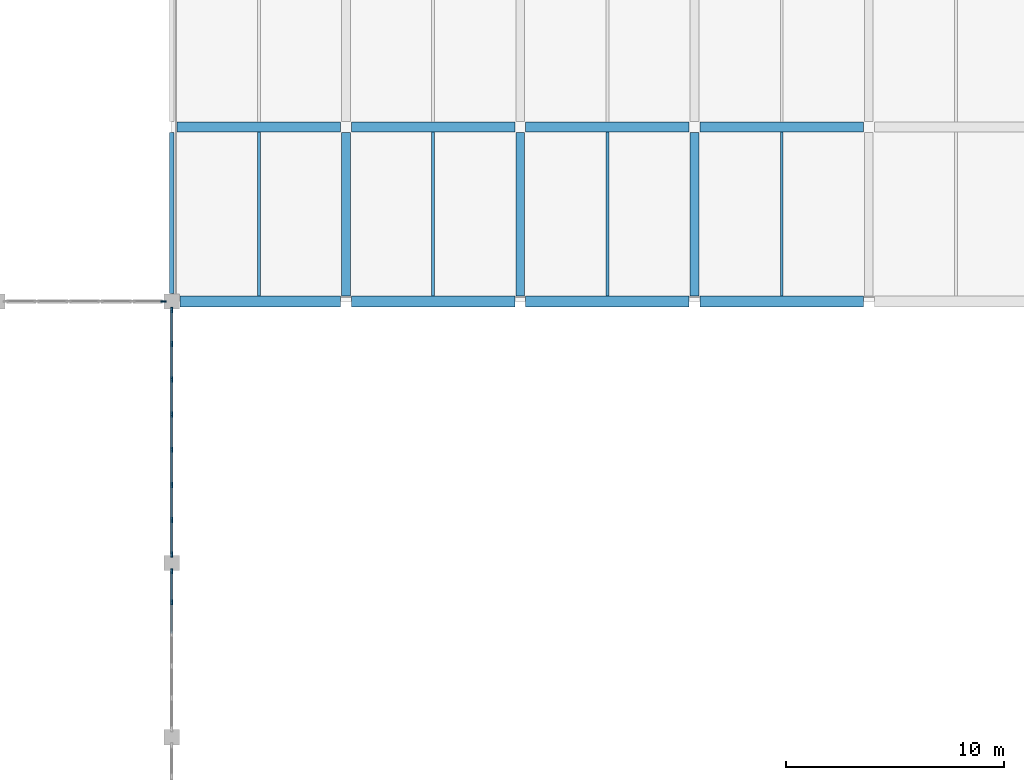
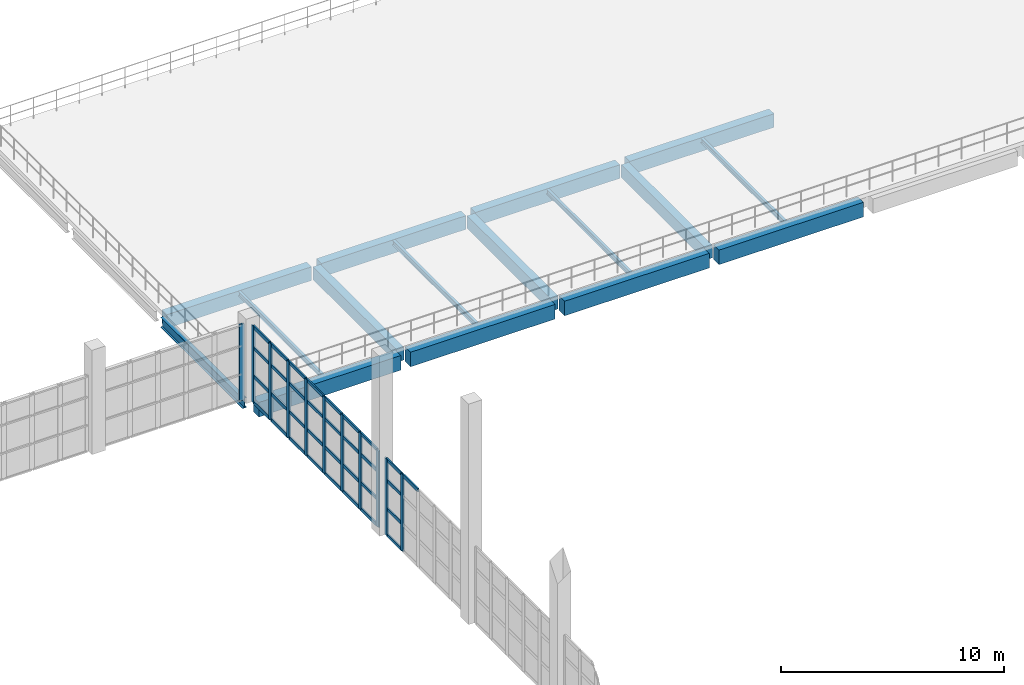
# One storey, part 21 of 66: 44 members, 16 beams, 3 elements without a shape of their own.
"""IFC4 building model written with IfcOpenShell, lengths in metres."""

from ifc_helpers import new_model, si_unit, direction, frame, origin, origin_2d, place, context, subcontext, project, spatial, rectangle, i_section, extrude, material, layer, layer_set, material_profile, profile_set, type_object, element, aggregate, save


model = new_model("IFC4")

# Units and contexts
model_context = context("Model", 3, precision=1e-05, world=origin(), true_north=direction((0.0, 1.0)))
body_context = subcontext(model_context, "Body", "Model", "MODEL_VIEW")
ifc_project = project(units=[si_unit("LENGTHUNIT", "METRE"), si_unit("AREAUNIT", "SQUARE_METRE"), si_unit("VOLUMEUNIT", "CUBIC_METRE"), si_unit("PLANEANGLEUNIT", "RADIAN"), si_unit("MASSUNIT", "GRAM", prefix="KILO")], contexts=[model_context])

# Site, building, storey
site_placement = place(None, origin())
site = spatial("IfcSite", under=ifc_project, at=site_placement, CompositionType="ELEMENT")
building_placement = place(site_placement, origin())
building = spatial("IfcBuilding", under=site, at=building_placement, Name="Drelvana Railside Aquatics Centre", CompositionType="ELEMENT")
storey_placement = place(building_placement, frame((0.0, 0.0, 10.199951171875)))
storey = spatial("IfcBuildingStorey", under=building, at=storey_placement, Name="L02", CompositionType="ELEMENT", Elevation=10.199951171875)

# Curtain wall, member
ifc_material_1 = material(Name="Bronze-anodised aluminium curtain wall", Category="aluminium")
ifc_layer = layer(ifc_material_1, 0.219970703125, Name="Bronze-anodised aluminium curtain wall")
ifc_layer_set = layer_set([ifc_layer], Name="Bronze-anodised aluminium curtain wall")
curtain_wall_type = type_object("IfcCurtainWallType", Name="CW-Z3-HIGH", PredefinedType="NOTDEFINED", material=ifc_layer_set)
curtain_wall_1_placement = place(storey_placement, origin())
curtain_wall_1 = element("IfcCurtainWall", 1, at=curtain_wall_1_placement, inside=storey, type_object=curtain_wall_type, Name="Curtain wall CW-03-027", PredefinedType="NOTDEFINED")
ifc_material_2 = material(Name="Bronze-anodised aluminium 6063-T6", Category="aluminium")
ifc_material_profile_1 = material_profile(ifc_material_2, rectangle(XDim=0.080078125, YDim=0.25, at=origin_2d()), Name="ALU-M 80x250")
ifc_profile_set_1 = profile_set([ifc_material_profile_1], Name="Bronze-anodised aluminium 6063-T6")
member_type_1 = type_object("IfcMemberType", Name="CW-Z3-HIGH-MUL", PredefinedType="MULLION", material=ifc_profile_set_1)
member_1_placement = place(storey_placement, frame((95.615966796875, 84.0, -0.005859375), z_axis=(0.0, 0.0, 1.0), x_axis=(0.0, 1.0, 0.0)))
member_1 = element("IfcMember", 2, at=member_1_placement, type_object=member_type_1, Name="CW-03 mullion 6", PredefinedType="MULLION", context=body_context, shape_type="SweptSolid", body=[
    extrude(rectangle(XDim=0.080078125, YDim=0.25, at=origin_2d()), origin(), (0.0, 0.0, 1.0), 4.19580078125),
])
aggregate(curtain_wall_1, [member_1])

# Curtain wall, members
curtain_wall_2_placement = place(storey_placement, origin())
curtain_wall_2 = element("IfcCurtainWall", 3, at=curtain_wall_2_placement, inside=storey, type_object=curtain_wall_type, Name="Curtain wall CW-03-076", PredefinedType="NOTDEFINED")
member_2_placement = place(storey_placement, frame((96.0, 70.193603515625, -0.005859375), z_axis=(0.0, 0.0, 1.0), x_axis=(-1.0, 0.0, 0.0)))
member_2 = element("IfcMember", 4, at=member_2_placement, type_object=member_type_1, Name="CW-03 mullion 5", PredefinedType="MULLION", context=body_context, shape_type="SweptSolid", body=[
    extrude(rectangle(XDim=0.080078125, YDim=0.25, at=origin_2d()), origin(), (0.0, 0.0, 1.0), 4.19580078125),
])
member_3_placement = place(storey_placement, frame((96.0, 71.615966796875, -0.005859375), z_axis=(0.0, 0.0, 1.0), x_axis=(-1.0, 0.0, 0.0)))
member_3 = element("IfcMember", 5, at=member_3_placement, type_object=member_type_1, Name="CW-03 mullion 6", PredefinedType="MULLION", context=body_context, shape_type="SweptSolid", body=[
    extrude(rectangle(XDim=0.080078125, YDim=0.25, at=origin_2d()), origin(), (0.0, 0.0, 1.0), 4.19580078125),
])

curtain_wall_3_placement = place(storey_placement, origin())
curtain_wall_3 = element("IfcCurtainWall", 6, at=curtain_wall_3_placement, inside=storey, type_object=curtain_wall_type, Name="Curtain wall CW-03-080", PredefinedType="NOTDEFINED")
member_4_placement = place(storey_placement, frame((96.0, 72.384033203125, -0.005859375), z_axis=(0.0, 0.0, 1.0), x_axis=(-1.0, 0.0, 0.0)))
member_4 = element("IfcMember", 7, at=member_4_placement, type_object=member_type_1, Name="CW-03 mullion 1", PredefinedType="MULLION", context=body_context, shape_type="SweptSolid", body=[
    extrude(rectangle(XDim=0.080078125, YDim=0.25, at=origin_2d()), origin(), (0.0, 0.0, 1.0), 4.19580078125),
])
member_5_placement = place(storey_placement, frame((96.0, 73.9599609375, -0.005859375), z_axis=(0.0, 0.0, 1.0), x_axis=(-1.0, 0.0, 0.0)))
member_5 = element("IfcMember", 8, at=member_5_placement, type_object=member_type_1, Name="CW-03 mullion 2", PredefinedType="MULLION", context=body_context, shape_type="SweptSolid", body=[
    extrude(rectangle(XDim=0.080078125, YDim=0.25, at=origin_2d()), origin(), (0.0, 0.0, 1.0), 4.19580078125),
])
member_6_placement = place(storey_placement, frame((96.0, 75.575927734375, -0.005859375), z_axis=(0.0, 0.0, 1.0), x_axis=(-1.0, 0.0, 0.0)))
member_6 = element("IfcMember", 9, at=member_6_placement, type_object=member_type_1, Name="CW-03 mullion 3", PredefinedType="MULLION", context=body_context, shape_type="SweptSolid", body=[
    extrude(rectangle(XDim=0.080078125, YDim=0.25, at=origin_2d()), origin(), (0.0, 0.0, 1.0), 4.19580078125),
])
member_7_placement = place(storey_placement, frame((96.0, 77.19189453125, -0.005859375), z_axis=(0.0, 0.0, 1.0), x_axis=(-1.0, 0.0, 0.0)))
member_7 = element("IfcMember", 10, at=member_7_placement, type_object=member_type_1, Name="CW-03 mullion 4", PredefinedType="MULLION", context=body_context, shape_type="SweptSolid", body=[
    extrude(rectangle(XDim=0.080078125, YDim=0.25, at=origin_2d()), origin(), (0.0, 0.0, 1.0), 4.19580078125),
])
member_8_placement = place(storey_placement, frame((96.0, 78.80810546875, -0.005859375), z_axis=(0.0, 0.0, 1.0), x_axis=(-1.0, 0.0, 0.0)))
member_8 = element("IfcMember", 11, at=member_8_placement, type_object=member_type_1, Name="CW-03 mullion 5", PredefinedType="MULLION", context=body_context, shape_type="SweptSolid", body=[
    extrude(rectangle(XDim=0.080078125, YDim=0.25, at=origin_2d()), origin(), (0.0, 0.0, 1.0), 4.19580078125),
])
member_9_placement = place(storey_placement, frame((96.0, 80.424072265625, -0.005859375), z_axis=(0.0, 0.0, 1.0), x_axis=(-1.0, 0.0, 0.0)))
member_9 = element("IfcMember", 12, at=member_9_placement, type_object=member_type_1, Name="CW-03 mullion 6", PredefinedType="MULLION", context=body_context, shape_type="SweptSolid", body=[
    extrude(rectangle(XDim=0.080078125, YDim=0.25, at=origin_2d()), origin(), (0.0, 0.0, 1.0), 4.19580078125),
])
member_10_placement = place(storey_placement, frame((96.0, 82.0400390625, -0.005859375), z_axis=(0.0, 0.0, 1.0), x_axis=(-1.0, 0.0, 0.0)))
member_10 = element("IfcMember", 13, at=member_10_placement, type_object=member_type_1, Name="CW-03 mullion 7", PredefinedType="MULLION", context=body_context, shape_type="SweptSolid", body=[
    extrude(rectangle(XDim=0.080078125, YDim=0.25, at=origin_2d()), origin(), (0.0, 0.0, 1.0), 4.19580078125),
])
member_11_placement = place(storey_placement, frame((96.0, 83.615966796875, -0.005859375), z_axis=(0.0, 0.0, 1.0), x_axis=(-1.0, 0.0, 0.0)))
member_11 = element("IfcMember", 14, at=member_11_placement, type_object=member_type_1, Name="CW-03 mullion 8", PredefinedType="MULLION", context=body_context, shape_type="SweptSolid", body=[
    extrude(rectangle(XDim=0.080078125, YDim=0.25, at=origin_2d()), origin(), (0.0, 0.0, 1.0), 4.19580078125),
])

# Member
ifc_material_profile_2 = material_profile(ifc_material_2, rectangle(XDim=0.179931640625, YDim=0.074951171875, at=origin_2d()), Name="ALU-T 75x180")
ifc_profile_set_2 = profile_set([ifc_material_profile_2], Name="Bronze-anodised aluminium 6063-T6")
member_type_2 = type_object("IfcMemberType", Name="CW-Z3-HIGH-TRN", PredefinedType="USERDEFINED", material=ifc_profile_set_2)
member_12_placement = place(storey_placement, frame((96.0, 68.76611328125, 4.152587890625), z_axis=(0.0, 1.0, 0.0), x_axis=(0.0, 0.0, 1.0)))
member_12 = element("IfcMember", 15, at=member_12_placement, type_object=member_type_2, Name="CW-03 transom 4.4", ObjectType="TRANSOM", PredefinedType="USERDEFINED", context=body_context, shape_type="SweptSolid", body=[
    extrude(rectangle(XDim=0.179931640625, YDim=0.074951171875, at=origin_2d()), origin(), (0.0, 0.0, 1.0), 1.392578125),
])

member_13_placement = place(storey_placement, frame((96.0, 70.228515625, 0.031494140625), z_axis=(0.0, 1.0, 0.0), x_axis=(0.0, 0.0, 1.0)))
member_13 = element("IfcMember", 16, at=member_13_placement, type_object=member_type_2, Name="CW-03 transom 5.1", ObjectType="TRANSOM", PredefinedType="USERDEFINED", context=body_context, shape_type="SweptSolid", body=[
    extrude(rectangle(XDim=0.179931640625, YDim=0.074951171875, at=origin_2d()), origin(), (0.0, 0.0, 1.0), 1.3525390625),
])

member_14_placement = place(storey_placement, frame((96.0, 70.228515625, 1.463134765625), z_axis=(0.0, 1.0, 0.0), x_axis=(0.0, 0.0, 1.0)))
member_14 = element("IfcMember", 17, at=member_14_placement, type_object=member_type_2, Name="CW-03 transom 5.2", ObjectType="TRANSOM", PredefinedType="USERDEFINED", context=body_context, shape_type="SweptSolid", body=[
    extrude(rectangle(XDim=0.179931640625, YDim=0.074951171875, at=origin_2d()), origin(), (0.0, 0.0, 1.0), 1.3525390625),
])

member_15_placement = place(storey_placement, frame((96.0, 70.228515625, 3.01513671875), z_axis=(0.0, 1.0, 0.0), x_axis=(0.0, 0.0, 1.0)))
member_15 = element("IfcMember", 18, at=member_15_placement, type_object=member_type_2, Name="CW-03 transom 5.3", ObjectType="TRANSOM", PredefinedType="USERDEFINED", context=body_context, shape_type="SweptSolid", body=[
    extrude(rectangle(XDim=0.179931640625, YDim=0.074951171875, at=origin_2d()), origin(), (0.0, 0.0, 1.0), 1.3525390625),
])

member_16_placement = place(storey_placement, frame((96.0, 70.228515625, 4.152587890625), z_axis=(0.0, 1.0, 0.0), x_axis=(0.0, 0.0, 1.0)))
member_16 = element("IfcMember", 19, at=member_16_placement, type_object=member_type_2, Name="CW-03 transom 5.4", ObjectType="TRANSOM", PredefinedType="USERDEFINED", context=body_context, shape_type="SweptSolid", body=[
    extrude(rectangle(XDim=0.179931640625, YDim=0.074951171875, at=origin_2d()), origin(), (0.0, 0.0, 1.0), 1.3525390625),
])

aggregate(curtain_wall_2, [member_2, member_3, member_12, member_13, member_14, member_15, member_16])

member_17_placement = place(storey_placement, frame((96.0, 72.4189453125, 0.031494140625), z_axis=(0.0, 1.0, 0.0), x_axis=(0.0, 0.0, 1.0)))
member_17 = element("IfcMember", 20, at=member_17_placement, type_object=member_type_2, Name="CW-03 transom 1.1", ObjectType="TRANSOM", PredefinedType="USERDEFINED", context=body_context, shape_type="SweptSolid", body=[
    extrude(rectangle(XDim=0.179931640625, YDim=0.074951171875, at=origin_2d()), origin(), (0.0, 0.0, 1.0), 1.506103515625),
])

member_18_placement = place(storey_placement, frame((96.0, 72.4189453125, 1.463134765625), z_axis=(0.0, 1.0, 0.0), x_axis=(0.0, 0.0, 1.0)))
member_18 = element("IfcMember", 21, at=member_18_placement, type_object=member_type_2, Name="CW-03 transom 1.2", ObjectType="TRANSOM", PredefinedType="USERDEFINED", context=body_context, shape_type="SweptSolid", body=[
    extrude(rectangle(XDim=0.179931640625, YDim=0.074951171875, at=origin_2d()), origin(), (0.0, 0.0, 1.0), 1.506103515625),
])

member_19_placement = place(storey_placement, frame((96.0, 72.4189453125, 3.01513671875), z_axis=(0.0, 1.0, 0.0), x_axis=(0.0, 0.0, 1.0)))
member_19 = element("IfcMember", 22, at=member_19_placement, type_object=member_type_2, Name="CW-03 transom 1.3", ObjectType="TRANSOM", PredefinedType="USERDEFINED", context=body_context, shape_type="SweptSolid", body=[
    extrude(rectangle(XDim=0.179931640625, YDim=0.074951171875, at=origin_2d()), origin(), (0.0, 0.0, 1.0), 1.506103515625),
])

member_20_placement = place(storey_placement, frame((96.0, 72.4189453125, 4.152587890625), z_axis=(0.0, 1.0, 0.0), x_axis=(0.0, 0.0, 1.0)))
member_20 = element("IfcMember", 23, at=member_20_placement, type_object=member_type_2, Name="CW-03 transom 1.4", ObjectType="TRANSOM", PredefinedType="USERDEFINED", context=body_context, shape_type="SweptSolid", body=[
    extrude(rectangle(XDim=0.179931640625, YDim=0.074951171875, at=origin_2d()), origin(), (0.0, 0.0, 1.0), 1.506103515625),
])

member_21_placement = place(storey_placement, frame((96.0, 73.9951171875, 0.031494140625), z_axis=(0.0, 1.0, 0.0), x_axis=(0.0, 0.0, 1.0)))
member_21 = element("IfcMember", 24, at=member_21_placement, type_object=member_type_2, Name="CW-03 transom 2.1", ObjectType="TRANSOM", PredefinedType="USERDEFINED", context=body_context, shape_type="SweptSolid", body=[
    extrude(rectangle(XDim=0.179931640625, YDim=0.074951171875, at=origin_2d()), origin(), (0.0, 0.0, 1.0), 1.5458984375),
])

member_22_placement = place(storey_placement, frame((96.0, 73.9951171875, 1.463134765625), z_axis=(0.0, 1.0, 0.0), x_axis=(0.0, 0.0, 1.0)))
member_22 = element("IfcMember", 25, at=member_22_placement, type_object=member_type_2, Name="CW-03 transom 2.2", ObjectType="TRANSOM", PredefinedType="USERDEFINED", context=body_context, shape_type="SweptSolid", body=[
    extrude(rectangle(XDim=0.179931640625, YDim=0.074951171875, at=origin_2d()), origin(), (0.0, 0.0, 1.0), 1.5458984375),
])

member_23_placement = place(storey_placement, frame((96.0, 73.9951171875, 3.01513671875), z_axis=(0.0, 1.0, 0.0), x_axis=(0.0, 0.0, 1.0)))
member_23 = element("IfcMember", 26, at=member_23_placement, type_object=member_type_2, Name="CW-03 transom 2.3", ObjectType="TRANSOM", PredefinedType="USERDEFINED", context=body_context, shape_type="SweptSolid", body=[
    extrude(rectangle(XDim=0.179931640625, YDim=0.074951171875, at=origin_2d()), origin(), (0.0, 0.0, 1.0), 1.5458984375),
])

member_24_placement = place(storey_placement, frame((96.0, 73.9951171875, 4.152587890625), z_axis=(0.0, 1.0, 0.0), x_axis=(0.0, 0.0, 1.0)))
member_24 = element("IfcMember", 27, at=member_24_placement, type_object=member_type_2, Name="CW-03 transom 2.4", ObjectType="TRANSOM", PredefinedType="USERDEFINED", context=body_context, shape_type="SweptSolid", body=[
    extrude(rectangle(XDim=0.179931640625, YDim=0.074951171875, at=origin_2d()), origin(), (0.0, 0.0, 1.0), 1.5458984375),
])

member_25_placement = place(storey_placement, frame((96.0, 75.611083984375, 0.031494140625), z_axis=(0.0, 1.0, 0.0), x_axis=(0.0, 0.0, 1.0)))
member_25 = element("IfcMember", 28, at=member_25_placement, type_object=member_type_2, Name="CW-03 transom 3.1", ObjectType="TRANSOM", PredefinedType="USERDEFINED", context=body_context, shape_type="SweptSolid", body=[
    extrude(rectangle(XDim=0.179931640625, YDim=0.074951171875, at=origin_2d()), origin(), (0.0, 0.0, 1.0), 1.5458984375),
])

member_26_placement = place(storey_placement, frame((96.0, 75.611083984375, 1.463134765625), z_axis=(0.0, 1.0, 0.0), x_axis=(0.0, 0.0, 1.0)))
member_26 = element("IfcMember", 29, at=member_26_placement, type_object=member_type_2, Name="CW-03 transom 3.2", ObjectType="TRANSOM", PredefinedType="USERDEFINED", context=body_context, shape_type="SweptSolid", body=[
    extrude(rectangle(XDim=0.179931640625, YDim=0.074951171875, at=origin_2d()), origin(), (0.0, 0.0, 1.0), 1.5458984375),
])

member_27_placement = place(storey_placement, frame((96.0, 75.611083984375, 3.01513671875), z_axis=(0.0, 1.0, 0.0), x_axis=(0.0, 0.0, 1.0)))
member_27 = element("IfcMember", 30, at=member_27_placement, type_object=member_type_2, Name="CW-03 transom 3.3", ObjectType="TRANSOM", PredefinedType="USERDEFINED", context=body_context, shape_type="SweptSolid", body=[
    extrude(rectangle(XDim=0.179931640625, YDim=0.074951171875, at=origin_2d()), origin(), (0.0, 0.0, 1.0), 1.5458984375),
])

member_28_placement = place(storey_placement, frame((96.0, 75.611083984375, 4.152587890625), z_axis=(0.0, 1.0, 0.0), x_axis=(0.0, 0.0, 1.0)))
member_28 = element("IfcMember", 31, at=member_28_placement, type_object=member_type_2, Name="CW-03 transom 3.4", ObjectType="TRANSOM", PredefinedType="USERDEFINED", context=body_context, shape_type="SweptSolid", body=[
    extrude(rectangle(XDim=0.179931640625, YDim=0.074951171875, at=origin_2d()), origin(), (0.0, 0.0, 1.0), 1.5458984375),
])

member_29_placement = place(storey_placement, frame((96.0, 77.22705078125, 0.031494140625), z_axis=(0.0, 1.0, 0.0), x_axis=(0.0, 0.0, 1.0)))
member_29 = element("IfcMember", 32, at=member_29_placement, type_object=member_type_2, Name="CW-03 transom 4.1", ObjectType="TRANSOM", PredefinedType="USERDEFINED", context=body_context, shape_type="SweptSolid", body=[
    extrude(rectangle(XDim=0.179931640625, YDim=0.074951171875, at=origin_2d()), origin(), (0.0, 0.0, 1.0), 1.5458984375),
])

member_30_placement = place(storey_placement, frame((96.0, 77.22705078125, 1.463134765625), z_axis=(0.0, 1.0, 0.0), x_axis=(0.0, 0.0, 1.0)))
member_30 = element("IfcMember", 33, at=member_30_placement, type_object=member_type_2, Name="CW-03 transom 4.2", ObjectType="TRANSOM", PredefinedType="USERDEFINED", context=body_context, shape_type="SweptSolid", body=[
    extrude(rectangle(XDim=0.179931640625, YDim=0.074951171875, at=origin_2d()), origin(), (0.0, 0.0, 1.0), 1.5458984375),
])

member_31_placement = place(storey_placement, frame((96.0, 77.22705078125, 3.01513671875), z_axis=(0.0, 1.0, 0.0), x_axis=(0.0, 0.0, 1.0)))
member_31 = element("IfcMember", 34, at=member_31_placement, type_object=member_type_2, Name="CW-03 transom 4.3", ObjectType="TRANSOM", PredefinedType="USERDEFINED", context=body_context, shape_type="SweptSolid", body=[
    extrude(rectangle(XDim=0.179931640625, YDim=0.074951171875, at=origin_2d()), origin(), (0.0, 0.0, 1.0), 1.5458984375),
])

member_32_placement = place(storey_placement, frame((96.0, 77.22705078125, 4.152587890625), z_axis=(0.0, 1.0, 0.0), x_axis=(0.0, 0.0, 1.0)))
member_32 = element("IfcMember", 35, at=member_32_placement, type_object=member_type_2, Name="CW-03 transom 4.4", ObjectType="TRANSOM", PredefinedType="USERDEFINED", context=body_context, shape_type="SweptSolid", body=[
    extrude(rectangle(XDim=0.179931640625, YDim=0.074951171875, at=origin_2d()), origin(), (0.0, 0.0, 1.0), 1.5458984375),
])

member_33_placement = place(storey_placement, frame((96.0, 78.843017578125, 0.031494140625), z_axis=(0.0, 1.0, 0.0), x_axis=(0.0, 0.0, 1.0)))
member_33 = element("IfcMember", 36, at=member_33_placement, type_object=member_type_2, Name="CW-03 transom 5.1", ObjectType="TRANSOM", PredefinedType="USERDEFINED", context=body_context, shape_type="SweptSolid", body=[
    extrude(rectangle(XDim=0.179931640625, YDim=0.074951171875, at=origin_2d()), origin(), (0.0, 0.0, 1.0), 1.5458984375),
])

member_34_placement = place(storey_placement, frame((96.0, 78.843017578125, 1.463134765625), z_axis=(0.0, 1.0, 0.0), x_axis=(0.0, 0.0, 1.0)))
member_34 = element("IfcMember", 37, at=member_34_placement, type_object=member_type_2, Name="CW-03 transom 5.2", ObjectType="TRANSOM", PredefinedType="USERDEFINED", context=body_context, shape_type="SweptSolid", body=[
    extrude(rectangle(XDim=0.179931640625, YDim=0.074951171875, at=origin_2d()), origin(), (0.0, 0.0, 1.0), 1.5458984375),
])

member_35_placement = place(storey_placement, frame((96.0, 78.843017578125, 3.01513671875), z_axis=(0.0, 1.0, 0.0), x_axis=(0.0, 0.0, 1.0)))
member_35 = element("IfcMember", 38, at=member_35_placement, type_object=member_type_2, Name="CW-03 transom 5.3", ObjectType="TRANSOM", PredefinedType="USERDEFINED", context=body_context, shape_type="SweptSolid", body=[
    extrude(rectangle(XDim=0.179931640625, YDim=0.074951171875, at=origin_2d()), origin(), (0.0, 0.0, 1.0), 1.5458984375),
])

member_36_placement = place(storey_placement, frame((96.0, 78.843017578125, 4.152587890625), z_axis=(0.0, 1.0, 0.0), x_axis=(0.0, 0.0, 1.0)))
member_36 = element("IfcMember", 39, at=member_36_placement, type_object=member_type_2, Name="CW-03 transom 5.4", ObjectType="TRANSOM", PredefinedType="USERDEFINED", context=body_context, shape_type="SweptSolid", body=[
    extrude(rectangle(XDim=0.179931640625, YDim=0.074951171875, at=origin_2d()), origin(), (0.0, 0.0, 1.0), 1.5458984375),
])

member_37_placement = place(storey_placement, frame((96.0, 80.458984375, 0.031494140625), z_axis=(0.0, 1.0, 0.0), x_axis=(0.0, 0.0, 1.0)))
member_37 = element("IfcMember", 40, at=member_37_placement, type_object=member_type_2, Name="CW-03 transom 6.1", ObjectType="TRANSOM", PredefinedType="USERDEFINED", context=body_context, shape_type="SweptSolid", body=[
    extrude(rectangle(XDim=0.179931640625, YDim=0.074951171875, at=origin_2d()), origin(), (0.0, 0.0, 1.0), 1.5458984375),
])

member_38_placement = place(storey_placement, frame((96.0, 80.458984375, 1.463134765625), z_axis=(0.0, 1.0, 0.0), x_axis=(0.0, 0.0, 1.0)))
member_38 = element("IfcMember", 41, at=member_38_placement, type_object=member_type_2, Name="CW-03 transom 6.2", ObjectType="TRANSOM", PredefinedType="USERDEFINED", context=body_context, shape_type="SweptSolid", body=[
    extrude(rectangle(XDim=0.179931640625, YDim=0.074951171875, at=origin_2d()), origin(), (0.0, 0.0, 1.0), 1.5458984375),
])

member_39_placement = place(storey_placement, frame((96.0, 80.458984375, 3.01513671875), z_axis=(0.0, 1.0, 0.0), x_axis=(0.0, 0.0, 1.0)))
member_39 = element("IfcMember", 42, at=member_39_placement, type_object=member_type_2, Name="CW-03 transom 6.3", ObjectType="TRANSOM", PredefinedType="USERDEFINED", context=body_context, shape_type="SweptSolid", body=[
    extrude(rectangle(XDim=0.179931640625, YDim=0.074951171875, at=origin_2d()), origin(), (0.0, 0.0, 1.0), 1.5458984375),
])

member_40_placement = place(storey_placement, frame((96.0, 80.458984375, 4.152587890625), z_axis=(0.0, 1.0, 0.0), x_axis=(0.0, 0.0, 1.0)))
member_40 = element("IfcMember", 43, at=member_40_placement, type_object=member_type_2, Name="CW-03 transom 6.4", ObjectType="TRANSOM", PredefinedType="USERDEFINED", context=body_context, shape_type="SweptSolid", body=[
    extrude(rectangle(XDim=0.179931640625, YDim=0.074951171875, at=origin_2d()), origin(), (0.0, 0.0, 1.0), 1.5458984375),
])

member_41_placement = place(storey_placement, frame((96.0, 82.074951171875, 0.031494140625), z_axis=(0.0, 1.0, 0.0), x_axis=(0.0, 0.0, 1.0)))
member_41 = element("IfcMember", 44, at=member_41_placement, type_object=member_type_2, Name="CW-03 transom 7.1", ObjectType="TRANSOM", PredefinedType="USERDEFINED", context=body_context, shape_type="SweptSolid", body=[
    extrude(rectangle(XDim=0.179931640625, YDim=0.074951171875, at=origin_2d()), origin(), (0.0, 0.0, 1.0), 1.506103515625),
])

member_42_placement = place(storey_placement, frame((96.0, 82.074951171875, 1.463134765625), z_axis=(0.0, 1.0, 0.0), x_axis=(0.0, 0.0, 1.0)))
member_42 = element("IfcMember", 45, at=member_42_placement, type_object=member_type_2, Name="CW-03 transom 7.2", ObjectType="TRANSOM", PredefinedType="USERDEFINED", context=body_context, shape_type="SweptSolid", body=[
    extrude(rectangle(XDim=0.179931640625, YDim=0.074951171875, at=origin_2d()), origin(), (0.0, 0.0, 1.0), 1.506103515625),
])

member_43_placement = place(storey_placement, frame((96.0, 82.074951171875, 3.01513671875), z_axis=(0.0, 1.0, 0.0), x_axis=(0.0, 0.0, 1.0)))
member_43 = element("IfcMember", 46, at=member_43_placement, type_object=member_type_2, Name="CW-03 transom 7.3", ObjectType="TRANSOM", PredefinedType="USERDEFINED", context=body_context, shape_type="SweptSolid", body=[
    extrude(rectangle(XDim=0.179931640625, YDim=0.074951171875, at=origin_2d()), origin(), (0.0, 0.0, 1.0), 1.506103515625),
])

member_44_placement = place(storey_placement, frame((96.0, 82.074951171875, 4.152587890625), z_axis=(0.0, 1.0, 0.0), x_axis=(0.0, 0.0, 1.0)))
member_44 = element("IfcMember", 47, at=member_44_placement, type_object=member_type_2, Name="CW-03 transom 7.4", ObjectType="TRANSOM", PredefinedType="USERDEFINED", context=body_context, shape_type="SweptSolid", body=[
    extrude(rectangle(XDim=0.179931640625, YDim=0.074951171875, at=origin_2d()), origin(), (0.0, 0.0, 1.0), 1.506103515625),
])

aggregate(curtain_wall_3, [member_4, member_5, member_6, member_7, member_8, member_9, member_10, member_11, member_17, member_18, member_19, member_20, member_21, member_22, member_23, member_24, member_25, member_26, member_27, member_28, member_29, member_30, member_31, member_32, member_33, member_34, member_35, member_36, member_37, member_38, member_39, member_40, member_41, member_42, member_43, member_44])

# Beams
ifc_material_3 = material(Name="Concrete C40/50", Category="concrete")
ifc_material_profile_3 = material_profile(ifc_material_3, rectangle(XDim=0.39990234375, YDim=0.699951171875, at=origin_2d()), Name="RC 400x700")
ifc_profile_set_3 = profile_set([ifc_material_profile_3], Name="Concrete C40/50")
beam_type_1 = type_object("IfcBeamType", Name="STR-BM-BM-03-RC-400x700", PredefinedType="BEAM", material=ifc_profile_set_3)
for number, where, z_axis, x_axis, name in (
    (48, (104.0, 84.25, -0.599853515625), (0.0, 1.0, 0.0), (-1.0, 0.0, 0.0), "Girder BM-03 (L02)"),
    (49, (112.0, 84.25, -0.599853515625), (0.0, 1.0, 0.0), (-1.0, 0.0, 0.0), "Girder BM-03 (L02)"),
    (50, (120.0, 84.25, -0.599853515625), (0.0, 1.0, 0.0), (-1.0, 0.0, 0.0), "Girder BM-03 (L02)"),
):
    element("IfcBeam", number, at=place(storey_placement, frame(where, z_axis=z_axis, x_axis=x_axis)), inside=storey, type_object=beam_type_1, Name=name, PredefinedType="BEAM", context=body_context, shape_type="SweptSolid", body=[
        extrude(rectangle(XDim=0.39990234375, YDim=0.699951171875, at=origin_2d()), origin(), (0.0, 0.0, 1.0), 7.5),
    ])
ifc_material_profile_4 = material_profile(ifc_material_3, rectangle(XDim=0.449951171875, YDim=0.75, at=origin_2d()), Name="RC 450x750")
ifc_profile_set_4 = profile_set([ifc_material_profile_4], Name="Concrete C40/50")
beam_type_2 = type_object("IfcBeamType", Name="STR-BM-BM-04-RC-450x750", PredefinedType="BEAM", material=ifc_profile_set_4)
for number, where, z_axis, x_axis, name in (
    (51, (96.25, 92.0, -0.625), (1.0, 0.0, 0.0), (0.0, 1.0, 0.0), "Girder BM-04 (L02)"),
    (52, (104.25, 92.0, -0.625), (1.0, 0.0, 0.0), (0.0, 1.0, 0.0), "Girder BM-04 (L02)"),
    (53, (112.25, 92.0, -0.625), (1.0, 0.0, 0.0), (0.0, 1.0, 0.0), "Girder BM-04 (L02)"),
    (54, (120.25, 92.0, -0.625), (1.0, 0.0, 0.0), (0.0, 1.0, 0.0), "Girder BM-04 (L02)"),
):
    element("IfcBeam", number, at=place(storey_placement, frame(where, z_axis=z_axis, x_axis=x_axis)), inside=storey, type_object=beam_type_2, Name=name, PredefinedType="BEAM", context=body_context, shape_type="SweptSolid", body=[
        extrude(rectangle(XDim=0.449951171875, YDim=0.75, at=origin_2d()), origin(), (0.0, 0.0, 1.0), 7.5),
    ])
ifc_material_profile_5 = material_profile(ifc_material_3, rectangle(XDim=0.5, YDim=0.800048828125, at=origin_2d()), Name="RC 500x800")
ifc_profile_set_5 = profile_set([ifc_material_profile_5], Name="Concrete C40/50")
beam_type_3 = type_object("IfcBeamType", Name="STR-BM-BM-06-RC-500x800", PredefinedType="SPANDREL", material=ifc_profile_set_5)
beam_1_placement = place(storey_placement, frame((96.375, 84.0, -0.64990234375), z_axis=(1.0, 0.0, 0.0), x_axis=(0.0, 1.0, 0.0)))
element("IfcBeam", 55, at=beam_1_placement, inside=storey, type_object=beam_type_3, Name="Girder BM-06 (L02)", PredefinedType="SPANDREL", context=body_context, shape_type="SweptSolid", body=[
    extrude(rectangle(XDim=0.5, YDim=0.800048828125, at=origin_2d()), origin(), (0.0, 0.0, 1.0), 7.375),
])
for number, where, z_axis, x_axis, name in (
    (56, (104.25, 84.0, -0.64990234375), (1.0, 0.0, 0.0), (0.0, 1.0, 0.0), "Girder BM-06 (L02)"),
    (57, (112.25, 84.0, -0.64990234375), (1.0, 0.0, 0.0), (0.0, 1.0, 0.0), "Girder BM-06 (L02)"),
    (58, (120.25, 84.0, -0.64990234375), (1.0, 0.0, 0.0), (0.0, 1.0, 0.0), "Girder BM-06 (L02)"),
):
    element("IfcBeam", number, at=place(storey_placement, frame(where, z_axis=z_axis, x_axis=x_axis)), inside=storey, type_object=beam_type_3, Name=name, PredefinedType="SPANDREL", context=body_context, shape_type="SweptSolid", body=[
        extrude(rectangle(XDim=0.5, YDim=0.800048828125, at=origin_2d()), origin(), (0.0, 0.0, 1.0), 7.5),
    ])
ifc_material_4 = material(Name="Structural steel S355", Category="steel")
ifc_material_profile_6 = material_profile(ifc_material_4, i_section(OverallWidth=0.2099609375, OverallDepth=0.550048828125, WebThickness=0.010986328125, FlangeThickness=0.01708984375, at=origin_2d()), Name="IPE 550")
ifc_profile_set_6 = profile_set([ifc_material_profile_6], Name="Structural steel S355")
beam_type_4 = type_object("IfcBeamType", Name="STR-SBM-SB-04-IPE-550", PredefinedType="SPANDREL", material=ifc_profile_set_6)
beam_2_placement = place(storey_placement, frame((96.0, 84.375, -0.52490234375), z_axis=(0.0, 1.0, 0.0), x_axis=(-1.0, 0.0, 0.0)))
element("IfcBeam", 59, at=beam_2_placement, inside=storey, type_object=beam_type_4, Name="Girder SB-04 (L02)", PredefinedType="SPANDREL", context=body_context, shape_type="SweptSolid", body=[
    extrude(i_section(OverallWidth=0.2099609375, OverallDepth=0.550048828125, WebThickness=0.010986328125, FlangeThickness=0.01708984375, at=origin_2d()), origin(), (0.0, 0.0, 1.0), 7.375),
])
ifc_material_profile_7 = material_profile(ifc_material_4, i_section(OverallWidth=0.135009765625, OverallDepth=0.27001953125, WebThickness=0.006591796875, FlangeThickness=0.01025390625, at=origin_2d()), Name="IPE 270")
ifc_profile_set_7 = profile_set([ifc_material_profile_7], Name="Structural steel S355")
beam_type_5 = type_object("IfcBeamType", Name="STR-SBM-SJ-02-IPE-270", PredefinedType="JOIST", material=ifc_profile_set_7)
for number, where, z_axis, x_axis, name in (
    (60, (100.0, 84.25, -0.385009765625), (0.0, 1.0, 0.0), (-1.0, 0.0, 0.0), "Secondary floor joist SJ-02 (L02)"),
    (61, (108.0, 84.25, -0.385009765625), (0.0, 1.0, 0.0), (-1.0, 0.0, 0.0), "Secondary floor joist SJ-02 (L02)"),
    (62, (116.0, 84.25, -0.385009765625), (0.0, 1.0, 0.0), (-1.0, 0.0, 0.0), "Secondary floor joist SJ-02 (L02)"),
    (63, (124.0, 84.25, -0.385009765625), (0.0, 1.0, 0.0), (-1.0, 0.0, 0.0), "Secondary floor joist SJ-02 (L02)"),
):
    element("IfcBeam", number, at=place(storey_placement, frame(where, z_axis=z_axis, x_axis=x_axis)), inside=storey, type_object=beam_type_5, Name=name, PredefinedType="JOIST", context=body_context, shape_type="SweptSolid", body=[
        extrude(i_section(OverallWidth=0.135009765625, OverallDepth=0.27001953125, WebThickness=0.006591796875, FlangeThickness=0.01025390625, at=origin_2d()), origin(), (0.0, 0.0, 1.0), 7.52490234375),
    ])

save(model, "model.ifc")
